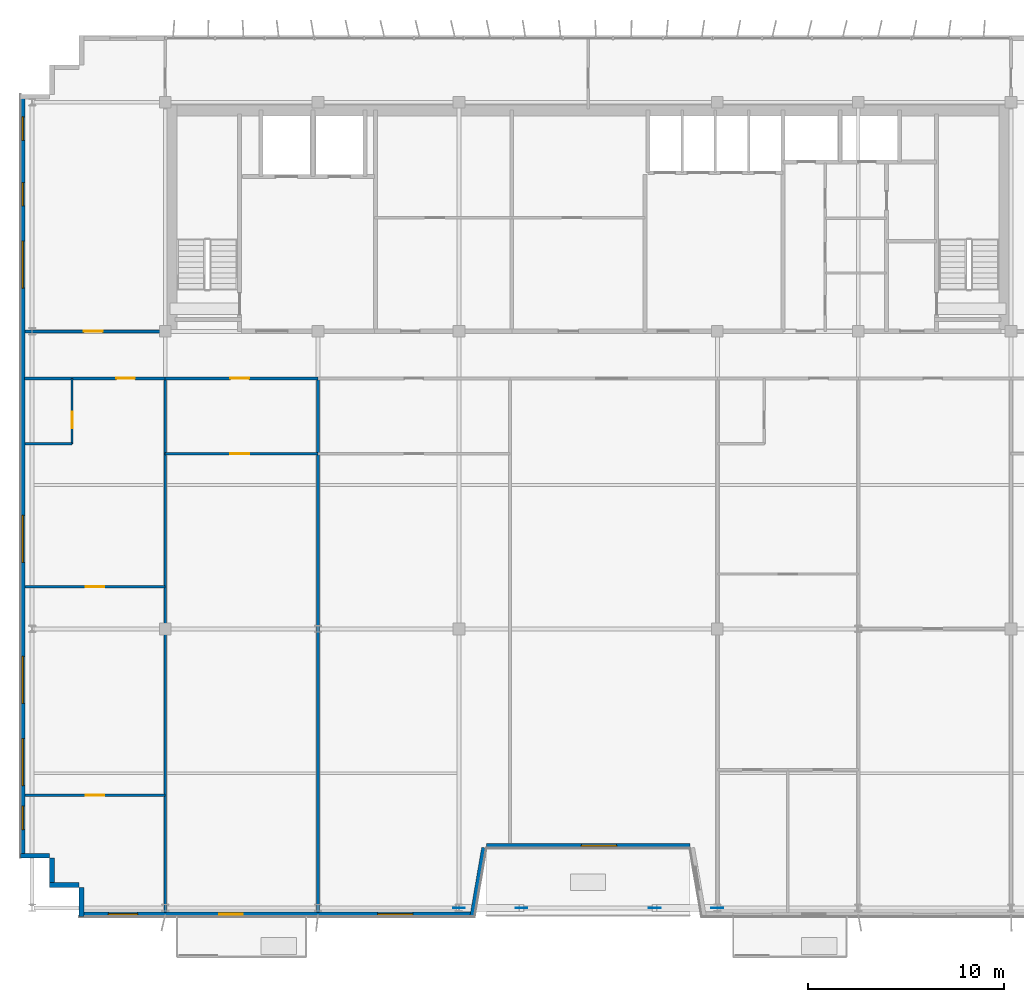
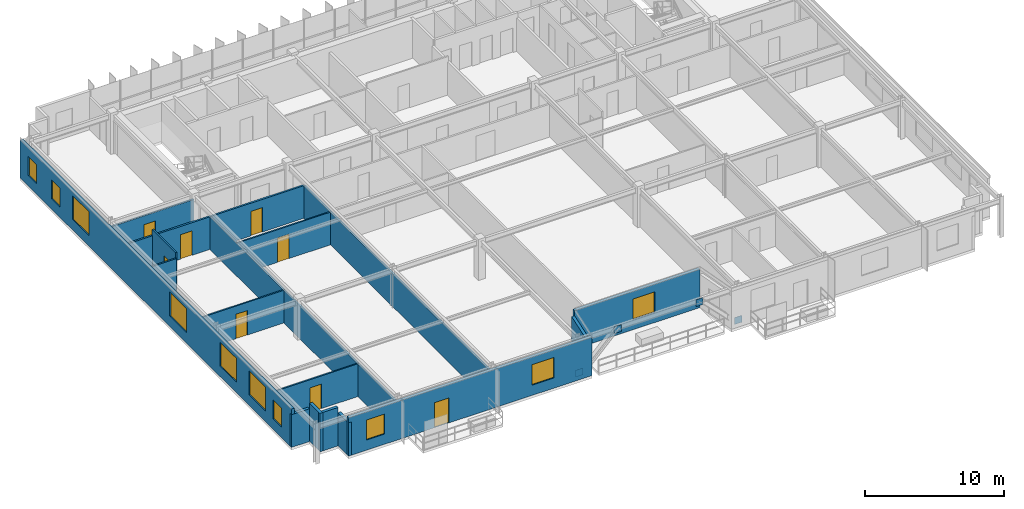
# One storey, part 16 of 22: 18 walls, 10 windows, 8 doors, 4 plates, 18 openings.
"""IFC4 building model written with IfcOpenShell, lengths in metres."""

from ifc_helpers import new_model, si_unit, direction, frame, frame_2d, origin, origin_2d, place, context, subcontext, project, spatial, rectangle, extrude, source, transform, mapped, material, layer, layer_set, type_object, element, fill, save


model = new_model("IFC4")

# Units and contexts
model_context = context("Model", 3, precision=1e-05, world=origin(), true_north=direction((0.0, 1.0)))
body_context = subcontext(model_context, "Body", "Model", "MODEL_VIEW")
ifc_project = project(units=[si_unit("LENGTHUNIT", "METRE"), si_unit("AREAUNIT", "SQUARE_METRE"), si_unit("VOLUMEUNIT", "CUBIC_METRE"), si_unit("PLANEANGLEUNIT", "RADIAN"), si_unit("MASSUNIT", "GRAM", prefix="KILO")], contexts=[model_context])

# Site, building, storey
site_placement = place(None, origin())
site = spatial("IfcSite", under=ifc_project, at=site_placement, CompositionType="ELEMENT")
building_placement = place(site_placement, origin())
building = spatial("IfcBuilding", under=site, at=building_placement, Name="Trelvane Seafront Commons", CompositionType="ELEMENT")
storey_placement = place(building_placement, frame((0.0, 0.0, 288.300048828125)))
storey = spatial("IfcBuildingStorey", under=building, at=storey_placement, Name="L75", CompositionType="ELEMENT", Elevation=288.300048828125)

# Plates
ifc_material_1 = material(Name="Steel SM355 (S355)", Category="steel")
ifc_layer_1 = layer(ifc_material_1, 0.031982421875, Name="STR-PLT-GUS2")
ifc_layer_set_1 = layer_set([ifc_layer_1], Name="Steel SM355 (S355)")
plate_type = type_object("IfcPlateType", Name="STR-PLT-GUS2", PredefinedType="SHEET", material=ifc_layer_set_1)
shared_shape_1 = source(origin(), body_context, "Body", "SweptSolid", [
    extrude(rectangle(XDim=0.60009765625, YDim=0.031982421875, at=origin_2d()), origin(), (0.0, 0.0, 1.0), 0.60009765625),
])
for number, where, z_axis, x_axis, name in (
    (1, (30.60009765625, 3.949951171875, -0.02001953125), (0.0, 0.0, 1.0), (1.0, 0.0, 0.0), "L75 Brace Connection Gusset Plate GP-198"),
    (2, (33.800048828125, 3.949951171875, 2.669921875), (0.0, 0.0, 1.0), (1.0, 0.0, 0.0), "L75 Brace Connection Gusset Plate GP-199"),
    (3, (43.800048828125, 3.949951171875, -0.02001953125), (0.0, 0.0, 1.0), (1.0, 0.0, 0.0), "L75 Brace Connection Gusset Plate GP-200"),
    (4, (40.60009765625, 3.949951171875, 2.669921875), (0.0, 0.0, 1.0), (1.0, 0.0, 0.0), "L75 Brace Connection Gusset Plate GP-201"),
):
    element("IfcPlate", number, at=place(storey_placement, frame(where, z_axis=z_axis, x_axis=x_axis)), inside=storey, type_object=plate_type, Name=name, PredefinedType="SHEET", context=body_context, shape_type="MappedRepresentation", body=[
        mapped(shared_shape_1, transform((0.0, 0.0, 0.0), x_axis=(1.0, 0.0, 0.0), y_axis=(0.0, 1.0, 0.0), z_axis=(0.0, 0.0, 1.0), scale=1.0)),
    ])

# Walls
ifc_material_2 = material(Name="Precast concrete C40/50", Category="concrete")
ifc_layer_2 = layer(ifc_material_2, 0.239990234375, Name="ARCH-WALL-EXT240")
ifc_layer_set_2 = layer_set([ifc_layer_2], Name="Precast concrete C40/50")
wall_type_1 = type_object("IfcWallType", Name="ARCH-WALL-EXT240", PredefinedType="SOLIDWALL", material=ifc_layer_set_2)
for number, where, z_axis, x_axis, name in (
    (5, (11.199951171875, 5.1201171875, 0.0), (0.0, 0.0, 1.0), (-1.0, 0.0, 0.0), "EW-L75-01510"),
    (6, (9.820068359375, 5.0, 0.0), (0.0, 0.0, 1.0), (0.0, 1.0, 0.0), "EW-L75-01511"),
):
    element("IfcWall", number, at=place(storey_placement, frame(where, z_axis=z_axis, x_axis=x_axis)), inside=storey, type_object=wall_type_1, Name=name, PredefinedType="SOLIDWALL", context=body_context, shape_type="SweptSolid", body=[
        extrude(rectangle(XDim=1.5, YDim=0.239990234375, at=frame_2d((0.75, 0.0))), origin(), (0.0, 0.0, 1.0), 3.369873046875),
    ])
wall_1_placement = place(storey_placement, frame((9.699951171875, 6.6201171875, 0.0), z_axis=(0.0, 0.0, 1.0), x_axis=(-1.0, 0.0, 0.0)))
element("IfcWall", 7, at=wall_1_placement, inside=storey, type_object=wall_type_1, Name="EW-L75-01512", PredefinedType="SOLIDWALL", context=body_context, shape_type="SweptSolid", body=[
    extrude(rectangle(XDim=1.5, YDim=0.239990234375, at=frame_2d((0.75, 0.0))), origin(), (0.0, 0.0, 1.0), 2.869873046875),
])

# Wall, openings, windows
wall_2_placement = place(storey_placement, frame((8.320068359375, 6.5, 0.0), z_axis=(0.0, 0.0, 1.0), x_axis=(0.0, 1.0, 0.0)))
wall_2 = element("IfcWall", 8, at=wall_2_placement, inside=storey, type_object=wall_type_1, Name="EW-L75-01513", PredefinedType="SOLIDWALL", context=body_context, shape_type="SweptSolid", body=[
    extrude(rectangle(XDim=39.0, YDim=0.239990234375, at=frame_2d((19.5, 0.0))), origin(), (0.0, 0.0, 1.0), 3.369873046875),
])
opening_1_placement = place(wall_2_placement, frame((1.449951171875, 0.0, 0.919921875)))
opening_1 = element("IfcOpeningElement", 9, at=opening_1_placement, cuts=wall_2, Name="Opening W05", PredefinedType="OPENING", context=body_context, shape_type="SweptSolid", body=[
    extrude(rectangle(XDim=1.199951171875, YDim=1.64990234375, at=frame_2d((0.60009765625, 0.824951171875))), frame((0.0, 0.1298828125, 0.0), z_axis=(0.0, -1.0, 0.0), x_axis=(1.0, 0.0, 0.0)), (0.0, 0.0, 1.0), 0.260009765625),
])
opening_2_placement = place(wall_2_placement, frame((3.699951171875, 0.0, 0.919921875)))
opening_2 = element("IfcOpeningElement", 10, at=opening_2_placement, cuts=wall_2, Name="Opening W08", PredefinedType="OPENING", context=body_context, shape_type="SweptSolid", body=[
    extrude(rectangle(XDim=2.39990234375, YDim=2.10009765625, at=frame_2d((1.199951171875, 1.050048828125))), frame((0.0, 0.1298828125, 0.0), z_axis=(0.0, -1.0, 0.0), x_axis=(1.0, 0.0, 0.0)), (0.0, 0.0, 1.0), 0.260009765625),
])
opening_3_placement = place(wall_2_placement, frame((7.89990234375, 0.0, 0.919921875)))
opening_3 = element("IfcOpeningElement", 11, at=opening_3_placement, cuts=wall_2, Name="Opening W08", PredefinedType="OPENING", context=body_context, shape_type="SweptSolid", body=[
    extrude(rectangle(XDim=2.39990234375, YDim=2.10009765625, at=frame_2d((1.199951171875, 1.050048828125))), frame((0.0, 0.1298828125, 0.0), z_axis=(0.0, -1.0, 0.0), x_axis=(1.0, 0.0, 0.0)), (0.0, 0.0, 1.0), 0.260009765625),
])
opening_4_placement = place(wall_2_placement, frame((15.10009765625, 0.0, 0.919921875)))
opening_4 = element("IfcOpeningElement", 12, at=opening_4_placement, cuts=wall_2, Name="Opening W08", PredefinedType="OPENING", context=body_context, shape_type="SweptSolid", body=[
    extrude(rectangle(XDim=2.39990234375, YDim=2.10009765625, at=frame_2d((1.199951171875, 1.050048828125))), frame((0.0, 0.1298828125, 0.0), z_axis=(0.0, -1.0, 0.0), x_axis=(1.0, 0.0, 0.0)), (0.0, 0.0, 1.0), 0.260009765625),
])
opening_5_placement = place(wall_2_placement, frame((29.10009765625, 0.0, 0.919921875)))
opening_5 = element("IfcOpeningElement", 13, at=opening_5_placement, cuts=wall_2, Name="Opening W08", PredefinedType="OPENING", context=body_context, shape_type="SweptSolid", body=[
    extrude(rectangle(XDim=2.39990234375, YDim=2.10009765625, at=frame_2d((1.199951171875, 1.050048828125))), frame((0.0, 0.1298828125, 0.0), z_axis=(0.0, -1.0, 0.0), x_axis=(1.0, 0.0, 0.0)), (0.0, 0.0, 1.0), 0.260009765625),
])
opening_6_placement = place(wall_2_placement, frame((33.300048828125, 0.0, 0.919921875)))
opening_6 = element("IfcOpeningElement", 14, at=opening_6_placement, cuts=wall_2, Name="Opening W05", PredefinedType="OPENING", context=body_context, shape_type="SweptSolid", body=[
    extrude(rectangle(XDim=1.199951171875, YDim=1.64990234375, at=frame_2d((0.60009765625, 0.824951171875))), frame((0.0, 0.1298828125, 0.0), z_axis=(0.0, -1.0, 0.0), x_axis=(1.0, 0.0, 0.0)), (0.0, 0.0, 1.0), 0.260009765625),
])
opening_7_placement = place(wall_2_placement, frame((36.64990234375, 0.0, 0.919921875)))
opening_7 = element("IfcOpeningElement", 15, at=opening_7_placement, cuts=wall_2, Name="Opening W05", PredefinedType="OPENING", context=body_context, shape_type="SweptSolid", body=[
    extrude(rectangle(XDim=1.199951171875, YDim=1.64990234375, at=frame_2d((0.60009765625, 0.824951171875))), frame((0.0, 0.1298828125, 0.0), z_axis=(0.0, -1.0, 0.0), x_axis=(1.0, 0.0, 0.0)), (0.0, 0.0, 1.0), 0.260009765625),
])
ifc_material_3 = material(Name="Low-E coastal double glazing", Category="glass")
window_type_1 = type_object("IfcWindowType", Name="ARCH-WIN-W08", PartitioningType="SINGLE_PANEL", PredefinedType="WINDOW", material=ifc_material_3)
shared_shape_2 = source(origin(), body_context, "Body", "SweptSolid", [
    extrude(rectangle(XDim=2.39990234375, YDim=2.10009765625, at=frame_2d((1.199951171875, 1.050048828125))), frame((0.0, 0.030029296875, 0.0), z_axis=(0.0, -1.0, 0.0), x_axis=(1.0, 0.0, 0.0)), (0.0, 0.0, 1.0), 0.06005859375),
])
window_1_placement = place(opening_2_placement, origin())
window_1 = element("IfcWindow", 16, at=window_1_placement, inside=storey, type_object=window_type_1, Name="WIN-L75-EW-01798", OverallHeight=2.10009765625, OverallWidth=2.39990234375, PartitioningType="SINGLE_PANEL", PredefinedType="WINDOW", context=body_context, shape_type="MappedRepresentation", body=[
    mapped(shared_shape_2, transform((0.0, 0.0, 0.0), x_axis=(1.0, 0.0, 0.0), y_axis=(0.0, 1.0, 0.0), z_axis=(0.0, 0.0, 1.0), scale=1.0)),
])
fill(opening_2, window_1)
window_2_placement = place(opening_3_placement, origin())
window_2 = element("IfcWindow", 17, at=window_2_placement, inside=storey, type_object=window_type_1, Name="WIN-L75-EW-01799", OverallHeight=2.10009765625, OverallWidth=2.39990234375, PartitioningType="SINGLE_PANEL", PredefinedType="WINDOW", context=body_context, shape_type="MappedRepresentation", body=[
    mapped(shared_shape_2, transform((0.0, 0.0, 0.0), x_axis=(1.0, 0.0, 0.0), y_axis=(0.0, 1.0, 0.0), z_axis=(0.0, 0.0, 1.0), scale=1.0)),
])
fill(opening_3, window_2)
window_3_placement = place(opening_4_placement, origin())
window_3 = element("IfcWindow", 18, at=window_3_placement, inside=storey, type_object=window_type_1, Name="WIN-L75-EW-01800", OverallHeight=2.10009765625, OverallWidth=2.39990234375, PartitioningType="SINGLE_PANEL", PredefinedType="WINDOW", context=body_context, shape_type="MappedRepresentation", body=[
    mapped(shared_shape_2, transform((0.0, 0.0, 0.0), x_axis=(1.0, 0.0, 0.0), y_axis=(0.0, 1.0, 0.0), z_axis=(0.0, 0.0, 1.0), scale=1.0)),
])
fill(opening_4, window_3)
window_4_placement = place(opening_5_placement, origin())
window_4 = element("IfcWindow", 19, at=window_4_placement, inside=storey, type_object=window_type_1, Name="WIN-L75-EW-01801", OverallHeight=2.10009765625, OverallWidth=2.39990234375, PartitioningType="SINGLE_PANEL", PredefinedType="WINDOW", context=body_context, shape_type="MappedRepresentation", body=[
    mapped(shared_shape_2, transform((0.0, 0.0, 0.0), x_axis=(1.0, 0.0, 0.0), y_axis=(0.0, 1.0, 0.0), z_axis=(0.0, 0.0, 1.0), scale=1.0)),
])
fill(opening_5, window_4)
window_type_2 = type_object("IfcWindowType", Name="ARCH-WIN-W05", PartitioningType="SINGLE_PANEL", PredefinedType="WINDOW", material=ifc_material_3)
shared_shape_3 = source(origin(), body_context, "Body", "SweptSolid", [
    extrude(rectangle(XDim=1.199951171875, YDim=1.64990234375, at=frame_2d((0.60009765625, 0.824951171875))), frame((0.0, 0.030029296875, 0.0), z_axis=(0.0, -1.0, 0.0), x_axis=(1.0, 0.0, 0.0)), (0.0, 0.0, 1.0), 0.06005859375),
])
window_5_placement = place(opening_1_placement, origin())
window_5 = element("IfcWindow", 20, at=window_5_placement, inside=storey, type_object=window_type_2, Name="WIN-L75-EW-01797", OverallHeight=1.64990234375, OverallWidth=1.199951171875, PartitioningType="SINGLE_PANEL", PredefinedType="WINDOW", context=body_context, shape_type="MappedRepresentation", body=[
    mapped(shared_shape_3, transform((0.0, 0.0, 0.0), x_axis=(1.0, 0.0, 0.0), y_axis=(0.0, 1.0, 0.0), z_axis=(0.0, 0.0, 1.0), scale=1.0)),
])
fill(opening_1, window_5)
window_6_placement = place(opening_6_placement, origin())
window_6 = element("IfcWindow", 21, at=window_6_placement, inside=storey, type_object=window_type_2, Name="WIN-L75-EW-01802", OverallHeight=1.64990234375, OverallWidth=1.199951171875, PartitioningType="SINGLE_PANEL", PredefinedType="WINDOW", context=body_context, shape_type="MappedRepresentation", body=[
    mapped(shared_shape_3, transform((0.0, 0.0, 0.0), x_axis=(1.0, 0.0, 0.0), y_axis=(0.0, 1.0, 0.0), z_axis=(0.0, 0.0, 1.0), scale=1.0)),
])
fill(opening_6, window_6)
window_7_placement = place(opening_7_placement, origin())
window_7 = element("IfcWindow", 22, at=window_7_placement, inside=storey, type_object=window_type_2, Name="WIN-L75-EW-01803", OverallHeight=1.64990234375, OverallWidth=1.199951171875, PartitioningType="SINGLE_PANEL", PredefinedType="WINDOW", context=body_context, shape_type="MappedRepresentation", body=[
    mapped(shared_shape_3, transform((0.0, 0.0, 0.0), x_axis=(1.0, 0.0, 0.0), y_axis=(0.0, 1.0, 0.0), z_axis=(0.0, 0.0, 1.0), scale=1.0)),
])
fill(opening_7, window_7)

# Wall, opening, window
wall_3_placement = place(storey_placement, frame((42.39990234375, 7.1201171875, 0.0), z_axis=(0.0, 0.0, 1.0), x_axis=(-1.0, 0.0, 0.0)))
wall_3 = element("IfcWall", 23, at=wall_3_placement, inside=storey, type_object=wall_type_1, Name="EW-L75-01529", PredefinedType="SOLIDWALL", context=body_context, shape_type="SweptSolid", body=[
    extrude(rectangle(XDim=10.39990234375, YDim=0.239990234375, at=frame_2d((5.199951171875, 0.0))), origin(), (0.0, 0.0, 1.0), 3.369873046875),
])
opening_8_placement = place(wall_3_placement, frame((3.7451171875, 0.0, 0.89990234375)))
opening_8 = element("IfcOpeningElement", 24, at=opening_8_placement, cuts=wall_3, Name="Opening W01", PredefinedType="OPENING", context=body_context, shape_type="SweptSolid", body=[
    extrude(rectangle(XDim=1.800048828125, YDim=1.800048828125, at=frame_2d((0.89990234375, 0.89990234375))), frame((0.0, 0.1298828125, 0.0), z_axis=(0.0, -1.0, 0.0), x_axis=(1.0, 0.0, 0.0)), (0.0, 0.0, 1.0), 0.260009765625),
])
window_type_3 = type_object("IfcWindowType", Name="ARCH-WIN-W01", PartitioningType="SINGLE_PANEL", PredefinedType="WINDOW", material=ifc_material_3)
shared_shape_4 = source(origin(), body_context, "Body", "SweptSolid", [
    extrude(rectangle(XDim=1.800048828125, YDim=1.800048828125, at=frame_2d((0.89990234375, 0.89990234375))), frame((0.0, 0.030029296875, 0.0), z_axis=(0.0, -1.0, 0.0), x_axis=(1.0, 0.0, 0.0)), (0.0, 0.0, 1.0), 0.06005859375),
])
window_8_placement = place(opening_8_placement, origin())
window_8 = element("IfcWindow", 25, at=window_8_placement, inside=storey, type_object=window_type_3, Name="WIN-L75-01814", OverallHeight=1.800048828125, OverallWidth=1.800048828125, PartitioningType="SINGLE_PANEL", PredefinedType="WINDOW", context=body_context, shape_type="MappedRepresentation", body=[
    mapped(shared_shape_4, transform((0.0, 0.0, 0.0), x_axis=(1.0, 0.0, 0.0), y_axis=(0.0, 1.0, 0.0), z_axis=(0.0, 0.0, 1.0), scale=1.0)),
])
fill(opening_8, window_8)

# Wall
wall_4_placement = place(storey_placement, frame((31.881591796875, 7.020263671875, 0.0), z_axis=(0.0, 0.0, 1.0), x_axis=(-0.168923741424, -0.98562912375, 0.0)))
element("IfcWall", 26, at=wall_4_placement, inside=storey, type_object=wall_type_1, Name="EW-L75-01530", PredefinedType="SOLIDWALL", context=body_context, shape_type="SweptSolid", body=[
    extrude(rectangle(XDim=3.551025390625, YDim=0.239990234375, at=frame_2d((1.775390625, 0.0))), origin(), (0.0, 0.0, 1.0), 2.919921875),
])

# Wall, openings, door, windows
wall_5_placement = place(storey_placement, frame((31.39990234375, 3.6201171875, 0.0), z_axis=(0.0, 0.0, 1.0), x_axis=(-1.0, 0.0, 0.0)))
wall_5 = element("IfcWall", 27, at=wall_5_placement, inside=storey, type_object=wall_type_1, Name="EW-L75-01531", PredefinedType="SOLIDWALL", context=body_context, shape_type="SweptSolid", body=[
    extrude(rectangle(XDim=20.199951171875, YDim=0.239990234375, at=frame_2d((10.10009765625, 0.0))), origin(), (0.0, 0.0, 1.0), 3.369873046875),
])
opening_9_placement = place(wall_5_placement, frame((3.14501953125, 0.0, 0.89990234375)))
opening_9 = element("IfcOpeningElement", 28, at=opening_9_placement, cuts=wall_5, Name="Opening W01", PredefinedType="OPENING", context=body_context, shape_type="SweptSolid", body=[
    extrude(rectangle(XDim=1.800048828125, YDim=1.800048828125, at=frame_2d((0.89990234375, 0.89990234375))), frame((0.0, 0.1298828125, 0.0), z_axis=(0.0, -1.0, 0.0), x_axis=(1.0, 0.0, 0.0)), (0.0, 0.0, 1.0), 0.260009765625),
])
opening_10_placement = place(wall_5_placement, frame((11.85107421875, 0.0, 0.0)))
opening_10 = element("IfcOpeningElement", 29, at=opening_10_placement, cuts=wall_5, Name="Opening BD-L75-154", PredefinedType="OPENING", context=body_context, shape_type="SweptSolid", body=[
    extrude(rectangle(XDim=1.199951171875, YDim=2.199951171875, at=frame_2d((0.60009765625, 1.10009765625))), frame((0.0, 0.1298828125, 0.0), z_axis=(0.0, -1.0, 0.0), x_axis=(1.0, 0.0, 0.0)), (0.0, 0.0, 1.0), 0.260009765625),
])
opening_11_placement = place(wall_5_placement, frame((17.205078125, 0.0, 0.89990234375)))
opening_11 = element("IfcOpeningElement", 30, at=opening_11_placement, cuts=wall_5, Name="Opening W03", PredefinedType="OPENING", context=body_context, shape_type="SweptSolid", body=[
    extrude(rectangle(XDim=1.5, YDim=1.75, at=frame_2d((0.75, 0.875))), frame((0.0, 0.1298828125, 0.0), z_axis=(0.0, -1.0, 0.0), x_axis=(1.0, 0.0, 0.0)), (0.0, 0.0, 1.0), 0.260009765625),
])
ifc_material_4 = material(Name="Powder-coated aluminium frame", Category="aluminium")
door_type_1 = type_object("IfcDoorType", Name="ARCH-DR-BAL1200", OperationType="NOTDEFINED", PredefinedType="DOOR", material=ifc_material_4)
shared_shape_5 = source(origin(), body_context, "Body", "SweptSolid", [
    extrude(rectangle(XDim=1.199951171875, YDim=2.199951171875, at=frame_2d((0.60009765625, 1.10009765625))), frame((0.0, 0.02490234375, 0.0), z_axis=(0.0, -1.0, 0.0), x_axis=(1.0, 0.0, 0.0)), (0.0, 0.0, 1.0), 0.050048828125),
])
door_1_placement = place(opening_10_placement, origin())
door_1 = element("IfcDoor", 31, at=door_1_placement, inside=storey, type_object=door_type_1, Name="L75 Balcony Terrace Access Door", OperationType="SINGLE_SWING_LEFT", OverallHeight=2.199951171875, OverallWidth=1.199951171875, PredefinedType="DOOR", context=body_context, shape_type="MappedRepresentation", body=[
    mapped(shared_shape_5, transform((0.0, 0.0, 0.0), x_axis=(1.0, 0.0, 0.0), y_axis=(0.0, 1.0, 0.0), z_axis=(0.0, 0.0, 1.0), scale=1.0)),
])
fill(opening_10, door_1)
window_type_4 = type_object("IfcWindowType", Name="ARCH-WIN-W03", PartitioningType="SINGLE_PANEL", PredefinedType="WINDOW", material=ifc_material_3)
shared_shape_6 = source(origin(), body_context, "Body", "SweptSolid", [
    extrude(rectangle(XDim=1.5, YDim=1.75, at=frame_2d((0.75, 0.875))), frame((0.0, 0.030029296875, 0.0), z_axis=(0.0, -1.0, 0.0), x_axis=(1.0, 0.0, 0.0)), (0.0, 0.0, 1.0), 0.06005859375),
])
window_9_placement = place(opening_11_placement, origin())
window_9 = element("IfcWindow", 32, at=window_9_placement, inside=storey, type_object=window_type_4, Name="WIN-L75-01816", OverallHeight=1.75, OverallWidth=1.5, PartitioningType="SINGLE_PANEL", PredefinedType="WINDOW", context=body_context, shape_type="MappedRepresentation", body=[
    mapped(shared_shape_6, transform((0.0, 0.0, 0.0), x_axis=(1.0, 0.0, 0.0), y_axis=(0.0, 1.0, 0.0), z_axis=(0.0, 0.0, 1.0), scale=1.0)),
])
fill(opening_11, window_9)
window_10_placement = place(opening_9_placement, origin())
window_10 = element("IfcWindow", 33, at=window_10_placement, inside=storey, type_object=window_type_3, Name="WIN-L75-01815", OverallHeight=1.800048828125, OverallWidth=1.800048828125, PartitioningType="SINGLE_PANEL", PredefinedType="WINDOW", context=body_context, shape_type="MappedRepresentation", body=[
    mapped(shared_shape_4, transform((0.0, 0.0, 0.0), x_axis=(1.0, 0.0, 0.0), y_axis=(0.0, 1.0, 0.0), z_axis=(0.0, 0.0, 1.0), scale=1.0)),
])
fill(opening_9, window_10)

# Wall
wall_6_placement = place(storey_placement, frame((11.320068359375, 3.5, 0.0), z_axis=(0.0, 0.0, 1.0), x_axis=(0.0, 1.0, 0.0)))
element("IfcWall", 34, at=wall_6_placement, inside=storey, type_object=wall_type_1, Name="EW-L75-01532", PredefinedType="SOLIDWALL", context=body_context, shape_type="SweptSolid", body=[
    extrude(rectangle(XDim=1.5, YDim=0.239990234375, at=frame_2d((0.75, 0.0))), origin(), (0.0, 0.0, 1.0), 2.919921875),
])

# Wall, opening, door
ifc_material_5 = material(Name="Gypsum Drywall Acoustic Partition")
ifc_layer_3 = layer(ifc_material_5, 0.1201171875, Name="ARCH-WALL-PART120")
ifc_layer_set_3 = layer_set([ifc_layer_3], Name="Gypsum Drywall Acoustic Partition")
wall_type_2 = type_object("IfcWallType", Name="ARCH-WALL-PART120", PredefinedType="PARTITIONING", material=ifc_layer_set_3)
wall_7_placement = place(storey_placement, frame((8.43994140625, 20.35009765625, 0.0), z_axis=(0.0, 0.0, 1.0), x_axis=(1.0, 0.0, 0.0)))
wall_7 = element("IfcWall", 35, at=wall_7_placement, inside=storey, type_object=wall_type_2, Name="W-L75-U1-KL-047", PredefinedType="PARTITIONING", context=body_context, shape_type="SweptSolid", body=[
    extrude(rectangle(XDim=7.16015625, YDim=0.1201171875, at=frame_2d((3.580078125, 0.0))), origin(), (0.0, 0.0, 1.0), 2.869873046875),
])
opening_12_placement = place(wall_7_placement, frame((3.10498046875, 0.0, 0.0)))
opening_12 = element("IfcOpeningElement", 36, at=opening_12_placement, cuts=wall_7, Name="Opening D-L75-28", PredefinedType="OPENING", context=body_context, shape_type="SweptSolid", body=[
    extrude(rectangle(XDim=0.949951171875, YDim=2.14990234375, at=frame_2d((0.47509765625, 1.074951171875))), frame((0.0, 0.070068359375, 0.0), z_axis=(0.0, -1.0, 0.0), x_axis=(1.0, 0.0, 0.0)), (0.0, 0.0, 1.0), 0.14013671875),
])
ifc_material_6 = material(Name="Acoustic timber door leaf", Category="wood")
door_type_2 = type_object("IfcDoorType", Name="ARCH-DR-INT950", OperationType="NOTDEFINED", PredefinedType="DOOR", material=ifc_material_6)
shared_shape_7 = source(origin(), body_context, "Body", "SweptSolid", [
    extrude(rectangle(XDim=0.949951171875, YDim=2.14990234375, at=frame_2d((0.47509765625, 1.074951171875))), frame((0.0, 0.02490234375, 0.0), z_axis=(0.0, -1.0, 0.0), x_axis=(1.0, 0.0, 0.0)), (0.0, 0.0, 1.0), 0.050048828125),
])
door_2_placement = place(opening_12_placement, origin())
door_2 = element("IfcDoor", 37, at=door_2_placement, inside=storey, type_object=door_type_2, Name="L75 Door 28", OperationType="SINGLE_SWING_RIGHT", OverallHeight=2.14990234375, OverallWidth=0.949951171875, PredefinedType="DOOR", context=body_context, shape_type="MappedRepresentation", body=[
    mapped(shared_shape_7, transform((0.0, 0.0, 0.0), x_axis=(1.0, 0.0, 0.0), y_axis=(0.0, 1.0, 0.0), z_axis=(0.0, 0.0, 1.0), scale=1.0)),
])
fill(opening_12, door_2)

wall_8_placement = place(storey_placement, frame((10.840087890625, 27.64990234375, 0.0), z_axis=(0.0, 0.0, 1.0), x_axis=(0.0, 1.0, 0.0)))
wall_8 = element("IfcWall", 38, at=wall_8_placement, inside=storey, type_object=wall_type_2, Name="W-L75-U1-BE-048", PredefinedType="PARTITIONING", context=body_context, shape_type="SweptSolid", body=[
    extrude(rectangle(XDim=3.35009765625, YDim=0.1201171875, at=frame_2d((1.675048828125, 0.0))), origin(), (0.0, 0.0, 1.0), 3.369873046875),
])
opening_13_placement = place(wall_8_placement, frame((0.800048828125, 0.0, 0.0)))
opening_13 = element("IfcOpeningElement", 39, at=opening_13_placement, cuts=wall_8, Name="Opening D-L75-29", PredefinedType="OPENING", context=body_context, shape_type="SweptSolid", body=[
    extrude(rectangle(XDim=0.85009765625, YDim=2.10009765625, at=frame_2d((0.425048828125, 1.050048828125))), frame((0.0, 0.070068359375, 0.0), z_axis=(0.0, -1.0, 0.0), x_axis=(1.0, 0.0, 0.0)), (0.0, 0.0, 1.0), 0.14013671875),
])
door_type_3 = type_object("IfcDoorType", Name="ARCH-DR-INT850", OperationType="NOTDEFINED", PredefinedType="DOOR", material=ifc_material_6)
shared_shape_8 = source(origin(), body_context, "Body", "SweptSolid", [
    extrude(rectangle(XDim=0.85009765625, YDim=2.10009765625, at=frame_2d((0.425048828125, 1.050048828125))), frame((0.0, 0.02490234375, 0.0), z_axis=(0.0, -1.0, 0.0), x_axis=(1.0, 0.0, 0.0)), (0.0, 0.0, 1.0), 0.050048828125),
])
door_3_placement = place(opening_13_placement, origin())
door_3 = element("IfcDoor", 40, at=door_3_placement, inside=storey, type_object=door_type_3, Name="L75 Door 29", OperationType="SINGLE_SWING_LEFT", OverallHeight=2.10009765625, OverallWidth=0.85009765625, PredefinedType="DOOR", context=body_context, shape_type="MappedRepresentation", body=[
    mapped(shared_shape_8, transform((0.0, 0.0, 0.0), x_axis=(1.0, 0.0, 0.0), y_axis=(0.0, 1.0, 0.0), z_axis=(0.0, 0.0, 1.0), scale=1.0)),
])
fill(opening_13, door_3)

# Wall
wall_9_placement = place(storey_placement, frame((8.43994140625, 27.64990234375, 0.0), z_axis=(0.0, 0.0, 1.0), x_axis=(1.0, 0.0, 0.0)))
element("IfcWall", 41, at=wall_9_placement, inside=storey, type_object=wall_type_2, Name="W-L75-U1-BS-049", PredefinedType="PARTITIONING", context=body_context, shape_type="SweptSolid", body=[
    extrude(rectangle(XDim=2.400146484375, YDim=0.1201171875, at=frame_2d((1.2001953125, 0.0))), origin(), (0.0, 0.0, 1.0), 2.869873046875),
])

# Wall, opening, door
wall_10_placement = place(storey_placement, frame((8.43994140625, 9.699951171875, 0.0), z_axis=(0.0, 0.0, 1.0), x_axis=(1.0, 0.0, 0.0)))
wall_10 = element("IfcWall", 42, at=wall_10_placement, inside=storey, type_object=wall_type_2, Name="W-L75-U1-YM-1-051", PredefinedType="PARTITIONING", context=body_context, shape_type="SweptSolid", body=[
    extrude(rectangle(XDim=7.16015625, YDim=0.1201171875, at=frame_2d((3.580078125, 0.0))), origin(), (0.0, 0.0, 1.0), 2.869873046875),
])
opening_14_placement = place(wall_10_placement, frame((3.10498046875, 0.0, 0.0)))
opening_14 = element("IfcOpeningElement", 43, at=opening_14_placement, cuts=wall_10, Name="Opening D-L75-31", PredefinedType="OPENING", context=body_context, shape_type="SweptSolid", body=[
    extrude(rectangle(XDim=0.949951171875, YDim=2.14990234375, at=frame_2d((0.47509765625, 1.074951171875))), frame((0.0, 0.070068359375, 0.0), z_axis=(0.0, -1.0, 0.0), x_axis=(1.0, 0.0, 0.0)), (0.0, 0.0, 1.0), 0.14013671875),
])
door_4_placement = place(opening_14_placement, origin())
door_4 = element("IfcDoor", 44, at=door_4_placement, inside=storey, type_object=door_type_2, Name="L75 Door 31", OperationType="SINGLE_SWING_LEFT", OverallHeight=2.14990234375, OverallWidth=0.949951171875, PredefinedType="DOOR", context=body_context, shape_type="MappedRepresentation", body=[
    mapped(shared_shape_7, transform((0.0, 0.0, 0.0), x_axis=(1.0, 0.0, 0.0), y_axis=(0.0, 1.0, 0.0), z_axis=(0.0, 0.0, 1.0), scale=1.0)),
])
fill(opening_14, door_4)

wall_11_placement = place(storey_placement, frame((15.60009765625, 27.14990234375, 0.0), z_axis=(0.0, 0.0, 1.0), x_axis=(1.0, 0.0, 0.0)))
wall_11 = element("IfcWall", 45, at=wall_11_placement, inside=storey, type_object=wall_type_2, Name="W-L75-U2-DIV-053", PredefinedType="PARTITIONING", context=body_context, shape_type="SweptSolid", body=[
    extrude(rectangle(XDim=7.7998046875, YDim=0.1201171875, at=frame_2d((3.89990234375, 0.0))), origin(), (0.0, 0.0, 1.0), 2.869873046875),
])
opening_15_placement = place(wall_11_placement, frame((3.3330078125, 0.0, 0.0)))
opening_15 = element("IfcOpeningElement", 46, at=opening_15_placement, cuts=wall_11, Name="Opening D-L75-33", PredefinedType="OPENING", context=body_context, shape_type="SweptSolid", body=[
    extrude(rectangle(XDim=0.949951171875, YDim=2.14990234375, at=frame_2d((0.47509765625, 1.074951171875))), frame((0.0, 0.070068359375, 0.0), z_axis=(0.0, -1.0, 0.0), x_axis=(1.0, 0.0, 0.0)), (0.0, 0.0, 1.0), 0.14013671875),
])
door_5_placement = place(opening_15_placement, origin())
door_5 = element("IfcDoor", 47, at=door_5_placement, inside=storey, type_object=door_type_2, Name="L75 Door 33", OperationType="SINGLE_SWING_LEFT", OverallHeight=2.14990234375, OverallWidth=0.949951171875, PredefinedType="DOOR", context=body_context, shape_type="MappedRepresentation", body=[
    mapped(shared_shape_7, transform((0.0, 0.0, 0.0), x_axis=(1.0, 0.0, 0.0), y_axis=(0.0, 1.0, 0.0), z_axis=(0.0, 0.0, 1.0), scale=1.0)),
])
fill(opening_15, door_5)

ifc_layer_4 = layer(ifc_material_5, 0.14990234375, Name="ARCH-WALL-PART150")
ifc_layer_set_4 = layer_set([ifc_layer_4], Name="Gypsum Drywall Acoustic Partition")
wall_type_3 = type_object("IfcWallType", Name="ARCH-WALL-PART150", PredefinedType="PARTITIONING", material=ifc_layer_set_4)
wall_12_placement = place(storey_placement, frame((8.449951171875, 33.39990234375, 0.0), z_axis=(0.0, 0.0, 1.0), x_axis=(1.0, 0.0, 0.0)))
wall_12 = element("IfcWall", 48, at=wall_12_placement, inside=storey, type_object=wall_type_3, Name="W-L75-NW-ENT-036", PredefinedType="PARTITIONING", context=body_context, shape_type="SweptSolid", body=[
    extrude(rectangle(XDim=7.150146484375, YDim=0.14990234375, at=frame_2d((3.5751953125, 0.0))), origin(), (0.0, 0.0, 1.0), 2.919921875),
])
opening_16_placement = place(wall_12_placement, frame((3.0, 0.0, 0.0)))
opening_16 = element("IfcOpeningElement", 49, at=opening_16_placement, cuts=wall_12, Name="Opening FD-L75-23", PredefinedType="OPENING", context=body_context, shape_type="SweptSolid", body=[
    extrude(rectangle(XDim=0.949951171875, YDim=2.14990234375, at=frame_2d((0.47509765625, 1.074951171875))), frame((0.0, 0.0849609375, 0.0), z_axis=(0.0, -1.0, 0.0), x_axis=(1.0, 0.0, 0.0)), (0.0, 0.0, 1.0), 0.169921875),
])
door_type_4 = type_object("IfcDoorType", Name="ARCH-DR-FD60-950", OperationType="NOTDEFINED", PredefinedType="DOOR", material=ifc_material_4)
door_6_placement = place(opening_16_placement, origin())
door_6 = element("IfcDoor", 50, at=door_6_placement, inside=storey, type_object=door_type_4, Name="L75 NW Suite Entrance Door", OperationType="SINGLE_SWING_LEFT", OverallHeight=2.14990234375, OverallWidth=0.949951171875, PredefinedType="DOOR", context=body_context, shape_type="MappedRepresentation", body=[
    mapped(shared_shape_7, transform((0.0, 0.0, 0.0), x_axis=(1.0, 0.0, 0.0), y_axis=(0.0, 1.0, 0.0), z_axis=(0.0, 0.0, 1.0), scale=1.0)),
])
fill(opening_16, door_6)

# Walls
for number, where, z_axis, x_axis, name in (
    (51, (15.60009765625, 3.72509765625, 0.0), (0.0, 0.0, 1.0), (0.0, 1.0, 0.0), "W-L75-PW-1-041"),
    (52, (23.39990234375, 3.72509765625, 0.0), (0.0, 0.0, 1.0), (0.0, 1.0, 0.0), "W-L75-PW-2-042"),
):
    element("IfcWall", number, at=place(storey_placement, frame(where, z_axis=z_axis, x_axis=x_axis)), inside=storey, type_object=wall_type_3, Name=name, PredefinedType="PARTITIONING", context=body_context, shape_type="SweptSolid", body=[
        extrude(rectangle(XDim=27.27490234375, YDim=0.14990234375, at=frame_2d((13.637451171875, 0.0))), origin(), (0.0, 0.0, 1.0), 2.869873046875),
    ])

# Wall, opening, door
wall_13_placement = place(storey_placement, frame((8.425048828125, 31.0, 0.0), z_axis=(0.0, 0.0, 1.0), x_axis=(1.0, 0.0, 0.0)))
wall_13 = element("IfcWall", 53, at=wall_13_placement, inside=storey, type_object=wall_type_3, Name="W-L75-CS-BAY-1-050", PredefinedType="PARTITIONING", context=body_context, shape_type="SweptSolid", body=[
    extrude(rectangle(XDim=7.175048828125, YDim=0.14990234375, at=frame_2d((3.58740234375, 0.0))), origin(), (0.0, 0.0, 1.0), 2.869873046875),
])
opening_17_placement = place(wall_13_placement, frame((4.680908203125, 0.0, 0.0)))
opening_17 = element("IfcOpeningElement", 54, at=opening_17_placement, cuts=wall_13, Name="Opening FD-L75-30", PredefinedType="OPENING", context=body_context, shape_type="SweptSolid", body=[
    extrude(rectangle(XDim=0.949951171875, YDim=2.14990234375, at=frame_2d((0.47509765625, 1.074951171875))), frame((0.0, 0.0849609375, 0.0), z_axis=(0.0, -1.0, 0.0), x_axis=(1.0, 0.0, 0.0)), (0.0, 0.0, 1.0), 0.169921875),
])
door_7_placement = place(opening_17_placement, origin())
door_7 = element("IfcDoor", 55, at=door_7_placement, inside=storey, type_object=door_type_4, Name="L75 Unit 01 Entrance Door", OperationType="SINGLE_SWING_RIGHT", OverallHeight=2.14990234375, OverallWidth=0.949951171875, PredefinedType="DOOR", context=body_context, shape_type="MappedRepresentation", body=[
    mapped(shared_shape_7, transform((0.0, 0.0, 0.0), x_axis=(1.0, 0.0, 0.0), y_axis=(0.0, 1.0, 0.0), z_axis=(0.0, 0.0, 1.0), scale=1.0)),
])
fill(opening_17, door_7)

wall_14_placement = place(storey_placement, frame((15.60009765625, 31.0, 0.0), z_axis=(0.0, 0.0, 1.0), x_axis=(1.0, 0.0, 0.0)))
wall_14 = element("IfcWall", 56, at=wall_14_placement, inside=storey, type_object=wall_type_3, Name="W-L75-CS-BAY-2-052", PredefinedType="PARTITIONING", context=body_context, shape_type="SweptSolid", body=[
    extrude(rectangle(XDim=7.7998046875, YDim=0.14990234375, at=frame_2d((3.89990234375, 0.0))), origin(), (0.0, 0.0, 1.0), 2.869873046875),
])
opening_18_placement = place(wall_14_placement, frame((3.3330078125, 0.0, 0.0)))
opening_18 = element("IfcOpeningElement", 57, at=opening_18_placement, cuts=wall_14, Name="Opening FD-L75-32", PredefinedType="OPENING", context=body_context, shape_type="SweptSolid", body=[
    extrude(rectangle(XDim=0.949951171875, YDim=2.14990234375, at=frame_2d((0.47509765625, 1.074951171875))), frame((0.0, 0.0849609375, 0.0), z_axis=(0.0, -1.0, 0.0), x_axis=(1.0, 0.0, 0.0)), (0.0, 0.0, 1.0), 0.169921875),
])
door_8_placement = place(opening_18_placement, origin())
door_8 = element("IfcDoor", 58, at=door_8_placement, inside=storey, type_object=door_type_4, Name="L75 Bay 02 Entrance Door", OperationType="SINGLE_SWING_RIGHT", OverallHeight=2.14990234375, OverallWidth=0.949951171875, PredefinedType="DOOR", context=body_context, shape_type="MappedRepresentation", body=[
    mapped(shared_shape_7, transform((0.0, 0.0, 0.0), x_axis=(1.0, 0.0, 0.0), y_axis=(0.0, 1.0, 0.0), z_axis=(0.0, 0.0, 1.0), scale=1.0)),
])
fill(opening_18, door_8)

save(model, "model.ifc")
